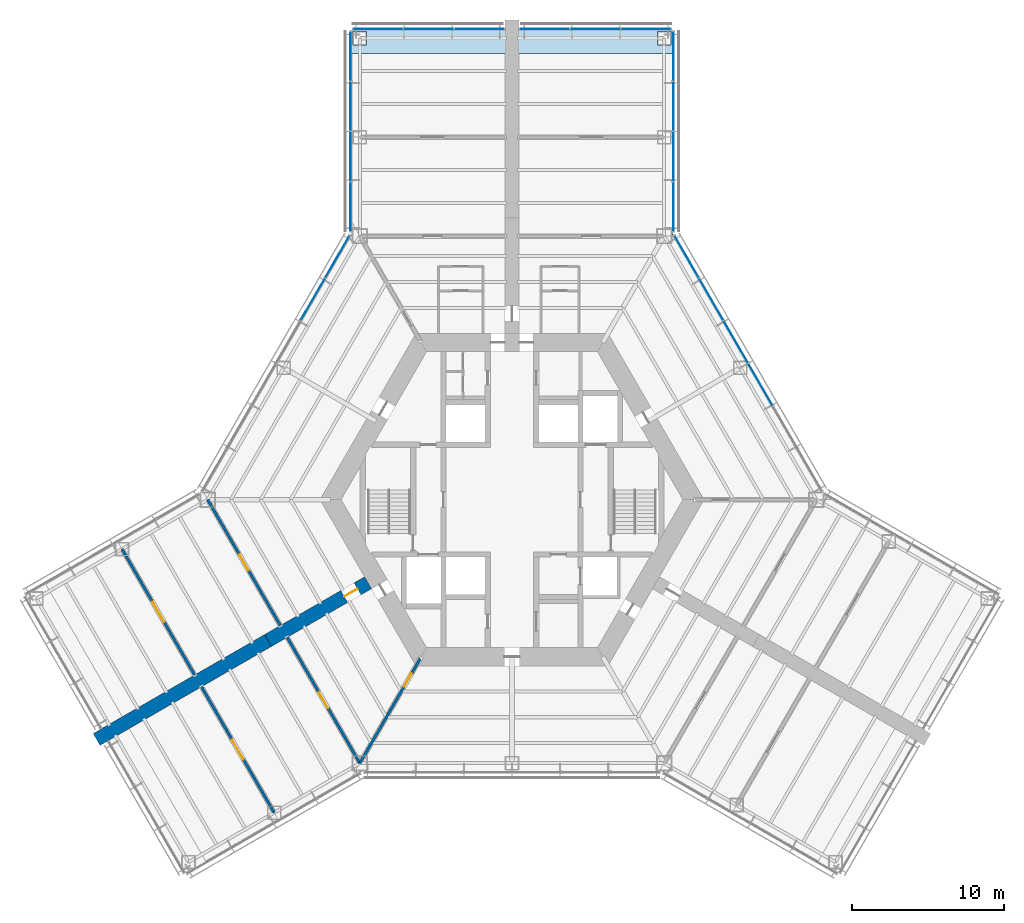
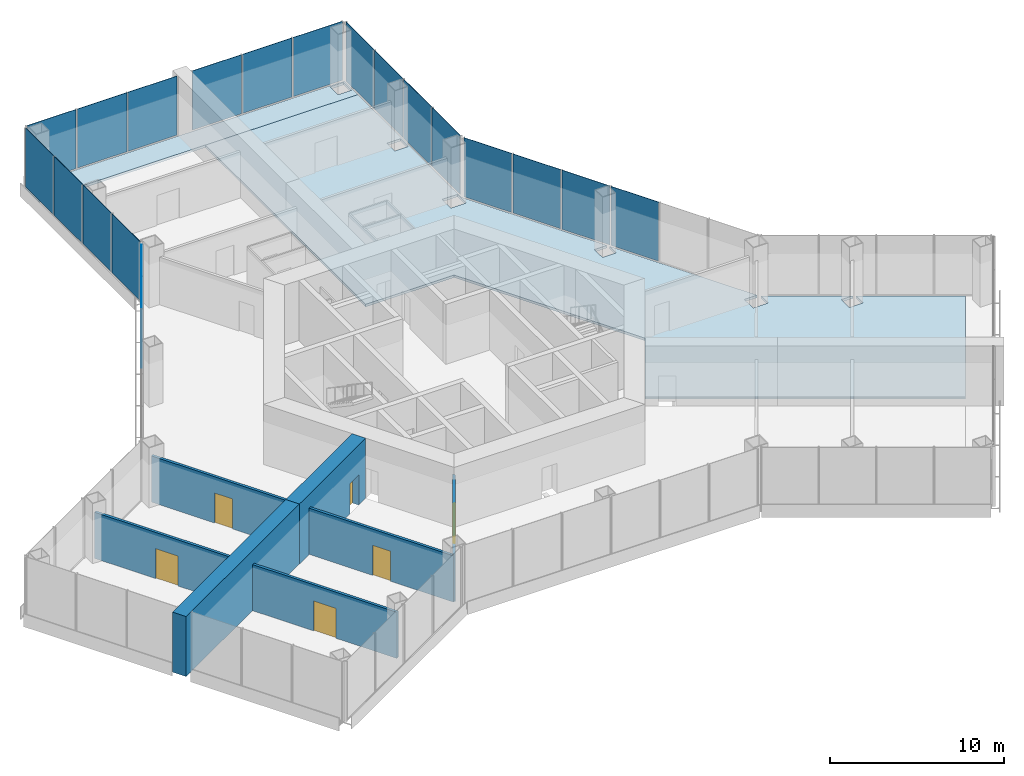
# One storey, part 10 of 15: 20 plates, 7 walls, 6 doors, 2 slabs, 6 openings, 6 elements without a shape of their own.
"""IFC4 building model written with IfcOpenShell, lengths in metres."""

from ifc_helpers import new_model, si_unit, direction, frame, frame_2d, origin, origin_2d, place, context, subcontext, project, spatial, polyline, rectangle, outline, extrude, material, layer, layer_set, type_object, element, fill, aggregate, save


model = new_model("IFC4")

# Units and contexts
model_context = context("Model", 3, precision=1e-05, world=origin(), true_north=direction((0.0, 1.0)))
body_context = subcontext(model_context, "Body", "Model", "MODEL_VIEW")
ifc_project = project(units=[si_unit("LENGTHUNIT", "METRE"), si_unit("AREAUNIT", "SQUARE_METRE"), si_unit("VOLUMEUNIT", "CUBIC_METRE"), si_unit("PLANEANGLEUNIT", "RADIAN"), si_unit("MASSUNIT", "GRAM", prefix="KILO")], contexts=[model_context])

# Site, building, storey
site_placement = place(None, origin())
site = spatial("IfcSite", under=ifc_project, at=site_placement, CompositionType="ELEMENT")
building_placement = place(site_placement, origin())
building = spatial("IfcBuilding", under=site, at=building_placement, Name="Kasaneha Research Tower", CompositionType="ELEMENT")
storey_placement = place(building_placement, frame((0.0, 0.0, 39.39990234375)))
storey = spatial("IfcBuildingStorey", under=building, at=storey_placement, Name="L10", CompositionType="ELEMENT", Elevation=39.39990234375)

# Curtain wall, plates
ifc_material_1 = material(Name="Glass and aluminium", Category="aluminium")
curtain_wall_type = type_object("IfcCurtainWallType", Name="Dry laboratory curtain wall", PredefinedType="USERDEFINED", material=ifc_material_1)
curtain_wall_1_placement = place(storey_placement, origin())
curtain_wall_1 = element("IfcCurtainWall", 1, at=curtain_wall_1_placement, inside=storey, type_object=curtain_wall_type, Name="CW-L2 L10 run 07a", ObjectType="UNITISED CURTAIN WALL", PredefinedType="USERDEFINED")
ifc_material_2 = material(Name="Laminated double glazing", Category="glass")
ifc_layer_1 = layer(ifc_material_2, 0.028076171875)
ifc_layer_set_1 = layer_set([ifc_layer_1], Name="CW-L2 glazed panel")
plate_type = type_object("IfcPlateType", Name="CW-L2 glazed panel", PredefinedType="CURTAIN_PANEL", material=ifc_layer_set_1)
plate_1_placement = place(storey_placement, frame((16.331298828125, 7.554443359375, 0.06494140625), z_axis=(0.0, 0.0, 1.0), x_axis=(-0.49999996188, 0.866025425793, 0.0)))
plate_1 = element("IfcPlate", 2, at=plate_1_placement, type_object=plate_type, Name="CW-L2 panel 3", PredefinedType="CURTAIN_PANEL", context=body_context, shape_type="SweptSolid", body=[
    extrude(rectangle(XDim=3.181396484375, YDim=0.028076171875, at=origin_2d()), origin(), (0.0, 0.0, 1.0), 4.135009765625),
])
plate_2_placement = place(storey_placement, frame((14.7080078125, 10.365966796875, 0.06494140625), z_axis=(0.0, 0.0, 1.0), x_axis=(-0.49999996188, 0.866025425793, 0.0)))
plate_2 = element("IfcPlate", 3, at=plate_2_placement, type_object=plate_type, Name="CW-L2 panel 4", PredefinedType="CURTAIN_PANEL", context=body_context, shape_type="SweptSolid", body=[
    extrude(rectangle(XDim=3.181396484375, YDim=0.028076171875, at=origin_2d()), origin(), (0.0, 0.0, 1.0), 4.135009765625),
])
plate_3_placement = place(storey_placement, frame((13.084716796875, 13.177490234375, 0.06494140625), z_axis=(0.0, 0.0, 1.0), x_axis=(-0.49999996188, 0.866025425793, 0.0)))
plate_3 = element("IfcPlate", 4, at=plate_3_placement, type_object=plate_type, Name="CW-L2 panel 5", PredefinedType="CURTAIN_PANEL", context=body_context, shape_type="SweptSolid", body=[
    extrude(rectangle(XDim=3.181396484375, YDim=0.028076171875, at=origin_2d()), origin(), (0.0, 0.0, 1.0), 4.135009765625),
])
plate_4_placement = place(storey_placement, frame((11.4697265625, 15.974853515625, 0.06494140625), z_axis=(0.0, 0.0, 1.0), x_axis=(-0.49999996188, 0.866025425793, 0.0)))
plate_4 = element("IfcPlate", 5, at=plate_4_placement, type_object=plate_type, Name="CW-L2 panel 6", PredefinedType="CURTAIN_PANEL", context=body_context, shape_type="SweptSolid", body=[
    extrude(rectangle(XDim=3.14892578125, YDim=0.028076171875, at=origin_2d()), origin(), (0.0, 0.0, 1.0), 4.135009765625),
])
aggregate(curtain_wall_1, [plate_1, plate_2, plate_3, plate_4])

curtain_wall_2_placement = place(storey_placement, origin())
curtain_wall_2 = element("IfcCurtainWall", 6, at=curtain_wall_2_placement, inside=storey, type_object=curtain_wall_type, Name="CW-L2 L10 run 08a", ObjectType="UNITISED CURTAIN WALL", PredefinedType="USERDEFINED")
plate_5_placement = place(storey_placement, frame((10.60009765625, 19.25244140625, 0.06494140625), z_axis=(0.0, 0.0, 1.0), x_axis=(0.0, 1.0, 0.0)))
plate_5 = element("IfcPlate", 7, at=plate_5_placement, type_object=plate_type, Name="CW-L2 panel 1", PredefinedType="CURTAIN_PANEL", context=body_context, shape_type="SweptSolid", body=[
    extrude(rectangle(XDim=3.21240234375, YDim=0.028076171875, at=origin_2d()), origin(), (0.0, 0.0, 1.0), 4.135009765625),
])
plate_6_placement = place(storey_placement, frame((10.60009765625, 22.5458984375, 0.06494140625), z_axis=(0.0, 0.0, 1.0), x_axis=(0.0, 1.0, 0.0)))
plate_6 = element("IfcPlate", 8, at=plate_6_placement, type_object=plate_type, Name="CW-L2 panel 2", PredefinedType="CURTAIN_PANEL", context=body_context, shape_type="SweptSolid", body=[
    extrude(rectangle(XDim=3.244873046875, YDim=0.028076171875, at=origin_2d()), origin(), (0.0, 0.0, 1.0), 4.135009765625),
])
plate_7_placement = place(storey_placement, frame((10.60009765625, 25.855712890625, 0.06494140625), z_axis=(0.0, 0.0, 1.0), x_axis=(0.0, 1.0, 0.0)))
plate_7 = element("IfcPlate", 9, at=plate_7_placement, type_object=plate_type, Name="CW-L2 panel 3", PredefinedType="CURTAIN_PANEL", context=body_context, shape_type="SweptSolid", body=[
    extrude(rectangle(XDim=3.244873046875, YDim=0.028076171875, at=origin_2d()), origin(), (0.0, 0.0, 1.0), 4.135009765625),
])
plate_8_placement = place(storey_placement, frame((10.60009765625, 29.1494140625, 0.06494140625), z_axis=(0.0, 0.0, 1.0), x_axis=(0.0, 1.0, 0.0)))
plate_8 = element("IfcPlate", 10, at=plate_8_placement, type_object=plate_type, Name="CW-L2 panel 4", PredefinedType="CURTAIN_PANEL", context=body_context, shape_type="SweptSolid", body=[
    extrude(rectangle(XDim=3.21240234375, YDim=0.028076171875, at=origin_2d()), origin(), (0.0, 0.0, 1.0), 4.135009765625),
])
aggregate(curtain_wall_2, [plate_5, plate_6, plate_7, plate_8])

curtain_wall_3_placement = place(storey_placement, origin())
curtain_wall_3 = element("IfcCurtainWall", 11, at=curtain_wall_3_placement, inside=storey, type_object=curtain_wall_type, Name="CW-L2 L10 run 09a", ObjectType="UNITISED CURTAIN WALL", PredefinedType="USERDEFINED")
plate_9_placement = place(storey_placement, frame((8.808837890625, 30.92041015625, 0.06494140625), z_axis=(0.0, 0.0, 1.0), x_axis=(-1.0, 0.0, 0.0)))
plate_9 = element("IfcPlate", 12, at=plate_9_placement, type_object=plate_type, Name="CW-L2 panel 1", PredefinedType="CURTAIN_PANEL", context=body_context, shape_type="SweptSolid", body=[
    extrude(rectangle(XDim=3.25244140625, YDim=0.028076171875, at=origin_2d()), origin(), (0.0, 0.0, 1.0), 4.135009765625),
])
plate_10_placement = place(storey_placement, frame((5.47509765625, 30.92041015625, 0.06494140625), z_axis=(0.0, 0.0, 1.0), x_axis=(-1.0, 0.0, 0.0)))
plate_10 = element("IfcPlate", 13, at=plate_10_placement, type_object=plate_type, Name="CW-L2 panel 2", PredefinedType="CURTAIN_PANEL", context=body_context, shape_type="SweptSolid", body=[
    extrude(rectangle(XDim=3.284912109375, YDim=0.028076171875, at=origin_2d()), origin(), (0.0, 0.0, 1.0), 4.135009765625),
])
plate_11_placement = place(storey_placement, frame((2.141357421875, 30.92041015625, 0.06494140625), z_axis=(0.0, 0.0, 1.0), x_axis=(-1.0, 0.0, 0.0)))
plate_11 = element("IfcPlate", 14, at=plate_11_placement, type_object=plate_type, Name="CW-L2 panel 3", PredefinedType="CURTAIN_PANEL", context=body_context, shape_type="SweptSolid", body=[
    extrude(rectangle(XDim=3.25244140625, YDim=0.028076171875, at=origin_2d()), origin(), (0.0, 0.0, 1.0), 4.135009765625),
])
aggregate(curtain_wall_3, [plate_9, plate_10, plate_11])

curtain_wall_4_placement = place(storey_placement, origin())
curtain_wall_4 = element("IfcCurtainWall", 15, at=curtain_wall_4_placement, inside=storey, type_object=curtain_wall_type, Name="CW-L2 L10 run 10a", ObjectType="UNITISED CURTAIN WALL", PredefinedType="USERDEFINED")
plate_12_placement = place(storey_placement, frame((-2.141357421875, 30.92041015625, 0.06494140625), z_axis=(0.0, 0.0, 1.0), x_axis=(-1.0, 0.0, 0.0)))
plate_12 = element("IfcPlate", 16, at=plate_12_placement, type_object=plate_type, Name="CW-L2 panel 1", PredefinedType="CURTAIN_PANEL", context=body_context, shape_type="SweptSolid", body=[
    extrude(rectangle(XDim=3.25244140625, YDim=0.028076171875, at=origin_2d()), origin(), (0.0, 0.0, 1.0), 4.135009765625),
])
plate_13_placement = place(storey_placement, frame((-5.47509765625, 30.92041015625, 0.06494140625), z_axis=(0.0, 0.0, 1.0), x_axis=(-1.0, 0.0, 0.0)))
plate_13 = element("IfcPlate", 17, at=plate_13_placement, type_object=plate_type, Name="CW-L2 panel 2", PredefinedType="CURTAIN_PANEL", context=body_context, shape_type="SweptSolid", body=[
    extrude(rectangle(XDim=3.284912109375, YDim=0.028076171875, at=origin_2d()), origin(), (0.0, 0.0, 1.0), 4.135009765625),
])
plate_14_placement = place(storey_placement, frame((-8.808837890625, 30.92041015625, 0.06494140625), z_axis=(0.0, 0.0, 1.0), x_axis=(-1.0, 0.0, 0.0)))
plate_14 = element("IfcPlate", 18, at=plate_14_placement, type_object=plate_type, Name="CW-L2 panel 3", PredefinedType="CURTAIN_PANEL", context=body_context, shape_type="SweptSolid", body=[
    extrude(rectangle(XDim=3.25244140625, YDim=0.028076171875, at=origin_2d()), origin(), (0.0, 0.0, 1.0), 4.135009765625),
])
aggregate(curtain_wall_4, [plate_12, plate_13, plate_14])

curtain_wall_5_placement = place(storey_placement, origin())
curtain_wall_5 = element("IfcCurtainWall", 19, at=curtain_wall_5_placement, inside=storey, type_object=curtain_wall_type, Name="CW-L2 L10 run 11a", ObjectType="UNITISED CURTAIN WALL", PredefinedType="USERDEFINED")
plate_15_placement = place(storey_placement, frame((-10.60009765625, 29.1494140625, 0.06494140625), z_axis=(0.0, 0.0, 1.0), x_axis=(0.0, -1.0, 0.0)))
plate_15 = element("IfcPlate", 20, at=plate_15_placement, type_object=plate_type, Name="CW-L2 panel 1", PredefinedType="CURTAIN_PANEL", context=body_context, shape_type="SweptSolid", body=[
    extrude(rectangle(XDim=3.21240234375, YDim=0.028076171875, at=origin_2d()), origin(), (0.0, 0.0, 1.0), 4.135009765625),
])
plate_16_placement = place(storey_placement, frame((-10.60009765625, 25.855712890625, 0.06494140625), z_axis=(0.0, 0.0, 1.0), x_axis=(0.0, -1.0, 0.0)))
plate_16 = element("IfcPlate", 21, at=plate_16_placement, type_object=plate_type, Name="CW-L2 panel 2", PredefinedType="CURTAIN_PANEL", context=body_context, shape_type="SweptSolid", body=[
    extrude(rectangle(XDim=3.244873046875, YDim=0.028076171875, at=origin_2d()), origin(), (0.0, 0.0, 1.0), 4.135009765625),
])
plate_17_placement = place(storey_placement, frame((-10.60009765625, 22.5458984375, 0.06494140625), z_axis=(0.0, 0.0, 1.0), x_axis=(0.0, -1.0, 0.0)))
plate_17 = element("IfcPlate", 22, at=plate_17_placement, type_object=plate_type, Name="CW-L2 panel 3", PredefinedType="CURTAIN_PANEL", context=body_context, shape_type="SweptSolid", body=[
    extrude(rectangle(XDim=3.244873046875, YDim=0.028076171875, at=origin_2d()), origin(), (0.0, 0.0, 1.0), 4.135009765625),
])
plate_18_placement = place(storey_placement, frame((-10.60009765625, 19.25244140625, 0.06494140625), z_axis=(0.0, 0.0, 1.0), x_axis=(0.0, -1.0, 0.0)))
plate_18 = element("IfcPlate", 23, at=plate_18_placement, type_object=plate_type, Name="CW-L2 panel 4", PredefinedType="CURTAIN_PANEL", context=body_context, shape_type="SweptSolid", body=[
    extrude(rectangle(XDim=3.21240234375, YDim=0.028076171875, at=origin_2d()), origin(), (0.0, 0.0, 1.0), 4.135009765625),
])
aggregate(curtain_wall_5, [plate_15, plate_16, plate_17, plate_18])

curtain_wall_6_placement = place(storey_placement, origin())
curtain_wall_6 = element("IfcCurtainWall", 24, at=curtain_wall_6_placement, inside=storey, type_object=curtain_wall_type, Name="CW-L2 L10 run 12a", ObjectType="UNITISED CURTAIN WALL", PredefinedType="USERDEFINED")
plate_19_placement = place(storey_placement, frame((-11.4697265625, 15.974853515625, 0.06494140625), z_axis=(0.0, 0.0, 1.0), x_axis=(-0.49999996188, -0.866025425793, 0.0)))
plate_19 = element("IfcPlate", 25, at=plate_19_placement, type_object=plate_type, Name="CW-L2 panel 1", PredefinedType="CURTAIN_PANEL", context=body_context, shape_type="SweptSolid", body=[
    extrude(rectangle(XDim=3.14892578125, YDim=0.028076171875, at=origin_2d()), origin(), (0.0, 0.0, 1.0), 4.135009765625),
])
plate_20_placement = place(storey_placement, frame((-13.084716796875, 13.177490234375, 0.06494140625), z_axis=(0.0, 0.0, 1.0), x_axis=(-0.49999996188, -0.866025425793, 0.0)))
plate_20 = element("IfcPlate", 26, at=plate_20_placement, type_object=plate_type, Name="CW-L2 panel 2", PredefinedType="CURTAIN_PANEL", context=body_context, shape_type="SweptSolid", body=[
    extrude(rectangle(XDim=3.181396484375, YDim=0.028076171875, at=origin_2d()), origin(), (0.0, 0.0, 1.0), 4.135009765625),
])
aggregate(curtain_wall_6, [plate_19, plate_20])

# Slabs
ifc_material_3 = material(Name="Concrete Fc24", Category="concrete")
ifc_layer_2 = layer(ifc_material_3, 0.169921875)
ifc_layer_set_2 = layer_set([ifc_layer_2], Name="Floor slab 170")
slab_type = type_object("IfcSlabType", Name="Floor slab 170", PredefinedType="FLOOR", material=ifc_layer_set_2)
slab_1_placement = place(storey_placement, frame((0.0, 0.0, -0.169921875)))
element("IfcSlab", 27, at=slab_1_placement, inside=storey, type_object=slab_type, Name="Floor slab L10 3", PredefinedType="FLOOR", context=body_context, shape_type="SweptSolid", body=[
    extrude(outline(polyline([(10.550048828125, 29.310546875), (0.449951171875, 29.310546875), (0.449951171875, 29.320556640625), (-0.449951171875, 29.320556640625), (-0.449951171875, 29.310546875), (-10.550048828125, 29.310546875), (-10.550048828125, 30.87060546875), (10.550048828125, 30.87060546875), (10.550048828125, 29.310546875)]), holes=[polyline([(-9.550048828125, 29.87060546875), (-9.550048828125, 30.7705078125), (-10.449951171875, 30.7705078125), (-10.449951171875, 29.87060546875), (-9.550048828125, 29.87060546875)]), polyline([(9.550048828125, 29.87060546875), (10.449951171875, 29.87060546875), (10.449951171875, 30.7705078125), (9.550048828125, 30.7705078125), (9.550048828125, 29.87060546875)])]), origin(), (0.0, 0.0, 1.0), 0.169921875),
])
slab_2_placement = place(storey_placement, frame((0.0, 0.0, -0.169921875)))
element("IfcSlab", 28, at=slab_2_placement, inside=storey, type_object=slab_type, Name="Floor slab L10 5", PredefinedType="FLOOR", context=body_context, shape_type="SweptSolid", body=[
    extrude(outline(polyline([(9.686279296875, -5.07275390625), (12.614990234375, 0.0), (6.3076171875, 10.925048828125), (0.449951171875, 10.925048828125), (0.449951171875, 29.310546875), (10.550048828125, 29.310546875), (10.550048828125, 17.4677734375), (15.375244140625, 9.1103515625), (14.550048828125, 9.1103515625), (14.550048828125, 8.210205078125), (15.449951171875, 8.210205078125), (15.449951171875, 8.980712890625), (20.346435546875, 0.5), (19.5, 0.5), (19.5, -0.5), (20.5, -0.5), (20.5, 0.346435546875), (25.083740234375, -2.300048828125), (24.313232421875, -2.300048828125), (24.313232421875, -3.199951171875), (25.213134765625, -3.199951171875), (25.213134765625, -2.374755859375), (30.65869140625, -5.518798828125), (25.608642578125, -14.265625), (9.686279296875, -5.07275390625)]), holes=[polyline([(9.5, 16.820556640625), (10.5, 16.820556640625), (10.5, 17.820556640625), (9.5, 17.820556640625), (9.5, 16.820556640625)]), polyline([(9.550048828125, 23.37060546875), (10.449951171875, 23.37060546875), (10.449951171875, 24.2705078125), (9.550048828125, 24.2705078125), (9.550048828125, 23.37060546875)])]), origin(), (0.0, 0.0, 1.0), 0.169921875),
])

# Wall, opening, door
ifc_material_4 = material(Name="Gypsum board on steel studs, two layers each side", Category="steel")
ifc_layer_3 = layer(ifc_material_4, 0.175048828125)
ifc_layer_set_3 = layer_set([ifc_layer_3], Name="Laboratory fire partition 175")
wall_type_1 = type_object("IfcWallType", Name="Laboratory fire partition 175", PredefinedType="PARTITIONING", material=ifc_layer_set_3)
wall_1_placement = place(storey_placement, frame((-15.22509765625, -8.2705078125, 0.0), z_axis=(0.0, 0.0, 1.0), x_axis=(-0.499993908199, 0.866028920859, 0.0)))
wall_1 = element("IfcWall", 29, at=wall_1_placement, inside=storey, type_object=wall_type_1, Name="Laboratory fire partition LABB-N L10", PredefinedType="PARTITIONING", context=body_context, shape_type="SweptSolid", body=[
    extrude(rectangle(XDim=9.5498046875, YDim=0.175048828125, at=frame_2d((4.77490234375, 0.0))), origin(), (0.0, 0.0, 1.0), 3.238037109375),
])
opening_1_placement = place(wall_1_placement, frame((4.175048828125, 0.0, 0.0)))
opening_1 = element("IfcOpeningElement", 30, at=opening_1_placement, cuts=wall_1, Name="Opening L10-D33", PredefinedType="OPENING", context=body_context, shape_type="SweptSolid", body=[
    extrude(rectangle(XDim=1.199951171875, YDim=2.10009765625, at=frame_2d((0.60009765625, 1.050048828125))), frame((0.0, 0.09765625, 0.0), z_axis=(0.0, -1.0, 0.0), x_axis=(1.0, 0.0, 0.0)), (0.0, 0.0, 1.0), 0.195068359375),
])
ifc_material_5 = material(Name="Steel", Category="steel")
door_type_1 = type_object("IfcDoorType", Name="Laboratory door FD60 1200x2100", OperationType="DOUBLE_DOOR_SINGLE_SWING", PredefinedType="DOOR", material=ifc_material_5)
door_1_placement = place(opening_1_placement, origin())
door_1 = element("IfcDoor", 31, at=door_1_placement, inside=storey, type_object=door_type_1, Name="Laboratory door L10-D33", OperationType="DOUBLE_DOOR_SINGLE_SWING", OverallHeight=2.10009765625, OverallWidth=1.199951171875, PredefinedType="DOOR", context=body_context, shape_type="SweptSolid", body=[
    extrude(rectangle(XDim=1.199951171875, YDim=2.10009765625, at=frame_2d((0.60009765625, 1.050048828125))), frame((0.0, 0.02490234375, 0.0), z_axis=(0.0, -1.0, 0.0), x_axis=(1.0, 0.0, 0.0)), (0.0, 0.0, 1.0), 0.050048828125),
])
fill(opening_1, door_1)

wall_2_placement = place(storey_placement, frame((-20.854248046875, -11.5205078125, 0.0), z_axis=(0.0, 0.0, 1.0), x_axis=(-0.499993908199, 0.866028920859, 0.0)))
wall_2 = element("IfcWall", 32, at=wall_2_placement, inside=storey, type_object=wall_type_1, Name="Laboratory fire partition INSB-N L10", PredefinedType="PARTITIONING", context=body_context, shape_type="SweptSolid", body=[
    extrude(rectangle(XDim=9.5498046875, YDim=0.175048828125, at=frame_2d((4.77490234375, 0.0))), origin(), (0.0, 0.0, 1.0), 3.22998046875),
])
opening_2_placement = place(wall_2_placement, frame((4.02490234375, 0.0, 0.0)))
opening_2 = element("IfcOpeningElement", 33, at=opening_2_placement, cuts=wall_2, Name="Opening L10-D34", PredefinedType="OPENING", context=body_context, shape_type="SweptSolid", body=[
    extrude(rectangle(XDim=1.5, YDim=2.10009765625, at=frame_2d((0.75, 1.050048828125))), frame((0.0, 0.09765625, 0.0), z_axis=(0.0, -1.0, 0.0), x_axis=(1.0, 0.0, 0.0)), (0.0, 0.0, 1.0), 0.195068359375),
])
ifc_material_6 = material(Name="Steel", Category="steel")
door_type_2 = type_object("IfcDoorType", Name="Laboratory door FD60 1500x2100", OperationType="DOUBLE_DOOR_SINGLE_SWING", PredefinedType="DOOR", material=ifc_material_6)
door_2_placement = place(opening_2_placement, origin())
door_2 = element("IfcDoor", 34, at=door_2_placement, inside=storey, type_object=door_type_2, Name="Instrument room door L10-D34", OperationType="DOUBLE_DOOR_SINGLE_SWING", OverallHeight=2.10009765625, OverallWidth=1.5, PredefinedType="DOOR", context=body_context, shape_type="SweptSolid", body=[
    extrude(rectangle(XDim=1.5, YDim=2.10009765625, at=frame_2d((0.75, 1.050048828125))), frame((0.0, 0.02490234375, 0.0), z_axis=(0.0, -1.0, 0.0), x_axis=(1.0, 0.0, 0.0)), (0.0, 0.0, 1.0), 0.050048828125),
])
fill(opening_2, door_2)

wall_3_placement = place(storey_placement, frame((-14.77490234375, -9.050048828125, 0.0), z_axis=(0.0, 0.0, 1.0), x_axis=(0.499993908199, -0.866028920859, 0.0)))
wall_3 = element("IfcWall", 35, at=wall_3_placement, inside=storey, type_object=wall_type_1, Name="Laboratory fire partition LABB-S L10", PredefinedType="PARTITIONING", context=body_context, shape_type="SweptSolid", body=[
    extrude(rectangle(XDim=9.5498046875, YDim=0.175048828125, at=frame_2d((4.77490234375, 0.0))), origin(), (0.0, 0.0, 1.0), 3.238037109375),
])
opening_3_placement = place(wall_3_placement, frame((4.175048828125, 0.0, 0.0)))
opening_3 = element("IfcOpeningElement", 36, at=opening_3_placement, cuts=wall_3, Name="Opening L10-D35", PredefinedType="OPENING", context=body_context, shape_type="SweptSolid", body=[
    extrude(rectangle(XDim=1.199951171875, YDim=2.10009765625, at=frame_2d((0.60009765625, 1.050048828125))), frame((0.0, 0.09765625, 0.0), z_axis=(0.0, -1.0, 0.0), x_axis=(1.0, 0.0, 0.0)), (0.0, 0.0, 1.0), 0.195068359375),
])
door_3_placement = place(opening_3_placement, origin())
door_3 = element("IfcDoor", 37, at=door_3_placement, inside=storey, type_object=door_type_1, Name="Laboratory door L10-D35", OperationType="DOUBLE_DOOR_SINGLE_SWING", OverallHeight=2.10009765625, OverallWidth=1.199951171875, PredefinedType="DOOR", context=body_context, shape_type="SweptSolid", body=[
    extrude(rectangle(XDim=1.199951171875, YDim=2.10009765625, at=frame_2d((0.60009765625, 1.050048828125))), frame((0.0, 0.02490234375, 0.0), z_axis=(0.0, -1.0, 0.0), x_axis=(1.0, 0.0, 0.0)), (0.0, 0.0, 1.0), 0.050048828125),
])
fill(opening_3, door_3)

wall_4_placement = place(storey_placement, frame((-20.404052734375, -12.300048828125, 0.0), z_axis=(0.0, 0.0, 1.0), x_axis=(0.499993908199, -0.866028920859, 0.0)))
wall_4 = element("IfcWall", 38, at=wall_4_placement, inside=storey, type_object=wall_type_1, Name="Laboratory fire partition INSB-S L10", PredefinedType="PARTITIONING", context=body_context, shape_type="SweptSolid", body=[
    extrude(rectangle(XDim=9.5498046875, YDim=0.175048828125, at=frame_2d((4.77490234375, 0.0))), origin(), (0.0, 0.0, 1.0), 3.22998046875),
])
opening_4_placement = place(wall_4_placement, frame((4.02490234375, 0.0, 0.0)))
opening_4 = element("IfcOpeningElement", 39, at=opening_4_placement, cuts=wall_4, Name="Opening L10-D36", PredefinedType="OPENING", context=body_context, shape_type="SweptSolid", body=[
    extrude(rectangle(XDim=1.5, YDim=2.10009765625, at=frame_2d((0.75, 1.050048828125))), frame((0.0, 0.09765625, 0.0), z_axis=(0.0, -1.0, 0.0), x_axis=(1.0, 0.0, 0.0)), (0.0, 0.0, 1.0), 0.195068359375),
])
door_4_placement = place(opening_4_placement, origin())
door_4 = element("IfcDoor", 40, at=door_4_placement, inside=storey, type_object=door_type_2, Name="Instrument room door L10-D36", OperationType="DOUBLE_DOOR_SINGLE_SWING", OverallHeight=2.10009765625, OverallWidth=1.5, PredefinedType="DOOR", context=body_context, shape_type="SweptSolid", body=[
    extrude(rectangle(XDim=1.5, YDim=2.10009765625, at=frame_2d((0.75, 1.050048828125))), frame((0.0, 0.02490234375, 0.0), z_axis=(0.0, -1.0, 0.0), x_axis=(1.0, 0.0, 0.0)), (0.0, 0.0, 1.0), 0.050048828125),
])
fill(opening_4, door_4)

ifc_material_7 = material(Name="Concrete Fc100", Category="concrete")
ifc_layer_4 = layer(ifc_material_7, 0.89990234375)
ifc_layer_set_4 = layer_set([ifc_layer_4], Name="Spine wall 900 Fc100")
wall_type_2 = type_object("IfcWallType", Name="Spine wall 900 Fc100", PredefinedType="SHEAR", material=ifc_layer_set_4)
wall_5_placement = place(storey_placement, frame((-9.46142578125, -5.46240234375, 0.0), z_axis=(0.0, 0.0, 1.0), x_axis=(-0.866019116917, -0.500010889016, 0.0)))
wall_5 = element("IfcWall", 41, at=wall_5_placement, inside=storey, type_object=wall_type_2, Name="Spine wall B L10", PredefinedType="SHEAR", context=body_context, shape_type="SweptSolid", body=[
    extrude(rectangle(XDim=7.595458984375, YDim=0.89990234375, at=frame_2d((3.7978515625, 0.0))), origin(), (0.0, 0.0, 1.0), 4.2001953125),
])
opening_5_placement = place(wall_5_placement, frame((0.800048828125, 0.0, 0.0)))
opening_5 = element("IfcOpeningElement", 42, at=opening_5_placement, cuts=wall_5, Name="Opening L10-D18", PredefinedType="OPENING", context=body_context, shape_type="SweptSolid", body=[
    extrude(rectangle(XDim=1.0, YDim=2.10009765625, at=frame_2d((0.5, 1.050048828125))), frame((0.0, 0.4599609375, 0.0), z_axis=(0.0, -1.0, 0.0), x_axis=(1.0, 0.0, 0.0)), (0.0, 0.0, 1.0), 0.919921875),
])
ifc_material_8 = material(Name="Steel", Category="steel")
door_type_3 = type_object("IfcDoorType", Name="Specified fire door FD60 1000x2100", OperationType="NOTDEFINED", PredefinedType="DOOR", material=ifc_material_8)
door_5_placement = place(opening_5_placement, origin())
door_5 = element("IfcDoor", 43, at=door_5_placement, inside=storey, type_object=door_type_3, Name="Spine doorway B L10-D18", OperationType="SINGLE_SWING_LEFT", OverallHeight=2.10009765625, OverallWidth=1.0, PredefinedType="DOOR", context=body_context, shape_type="SweptSolid", body=[
    extrude(rectangle(XDim=1.0, YDim=2.10009765625, at=frame_2d((0.5, 1.050048828125))), frame((0.0, 0.02490234375, 0.0), z_axis=(0.0, -1.0, 0.0), x_axis=(1.0, 0.0, 0.0)), (0.0, 0.0, 1.0), 0.050048828125),
])
fill(opening_5, door_5)

# Wall
wall_6_placement = place(storey_placement, frame((-16.039306640625, -9.26025390625, 0.0), z_axis=(0.0, 0.0, 1.0), x_axis=(-0.866024837091, -0.50000098154, 0.0)))
element("IfcWall", 44, at=wall_6_placement, inside=storey, type_object=wall_type_2, Name="Spine wall B wing L10", PredefinedType="SHEAR", context=body_context, shape_type="SweptSolid", body=[
    extrude(rectangle(XDim=13.0, YDim=0.89990234375, at=frame_2d((6.5, 0.0))), origin(), (0.0, 0.0, 1.0), 4.2001953125),
])

# Wall, opening, door
ifc_material_9 = material(Name="Gypsum board on steel studs, two layers each side", Category="steel")
ifc_layer_5 = layer(ifc_material_9, 0.175048828125)
ifc_layer_set_5 = layer_set([ifc_layer_5], Name="Tenancy fire partition 175")
wall_type_3 = type_object("IfcWallType", Name="Tenancy fire partition 175", PredefinedType="PARTITIONING", material=ifc_layer_set_5)
wall_7_placement = place(storey_placement, frame((-6.03515625, -10.453125, 0.0), z_axis=(0.0, 0.0, 1.0), x_axis=(-0.499993402427, -0.866029212861, 0.0)))
wall_7 = element("IfcWall", 45, at=wall_7_placement, inside=storey, type_object=wall_type_3, Name="Tenancy fire partition T240 L10", PredefinedType="PARTITIONING", context=body_context, shape_type="SweptSolid", body=[
    extrude(outline(polyline([(-0.050537109375, -0.08740234375), (1.12939453125, -0.08740234375), (2.12939453125, -0.08740234375), (7.9296875, -0.08740234375), (7.9296875, 0.08740234375), (2.12939453125, 0.08740234375), (1.12939453125, 0.08740234375), (0.050537109375, 0.08740234375), (-0.050537109375, -0.08740234375)])), origin(), (0.0, 0.0, 1.0), 3.330078125),
])
opening_6_placement = place(wall_7_placement, frame((1.12939453125, 0.0, 0.0)))
opening_6 = element("IfcOpeningElement", 46, at=opening_6_placement, cuts=wall_7, Name="Opening L10-D24", PredefinedType="OPENING", context=body_context, shape_type="SweptSolid", body=[
    extrude(rectangle(XDim=1.0, YDim=2.10009765625, at=frame_2d((0.5, 1.050048828125))), frame((0.0, 0.09765625, 0.0), z_axis=(0.0, -1.0, 0.0), x_axis=(1.0, 0.0, 0.0)), (0.0, 0.0, 1.0), 0.195068359375),
])
ifc_material_10 = material(Name="Steel", Category="steel")
door_type_4 = type_object("IfcDoorType", Name="Suite entrance door FD60 1000x2100", OperationType="NOTDEFINED", PredefinedType="DOOR", material=ifc_material_10)
door_6_placement = place(opening_6_placement, origin())
door_6 = element("IfcDoor", 47, at=door_6_placement, inside=storey, type_object=door_type_4, Name="Connecting door L10-D24", OperationType="SINGLE_SWING_LEFT", OverallHeight=2.10009765625, OverallWidth=1.0, PredefinedType="DOOR", context=body_context, shape_type="SweptSolid", body=[
    extrude(rectangle(XDim=1.0, YDim=2.10009765625, at=frame_2d((0.5, 1.050048828125))), frame((0.0, 0.02490234375, 0.0), z_axis=(0.0, -1.0, 0.0), x_axis=(1.0, 0.0, 0.0)), (0.0, 0.0, 1.0), 0.050048828125),
])
fill(opening_6, door_6)

save(model, "model.ifc")
